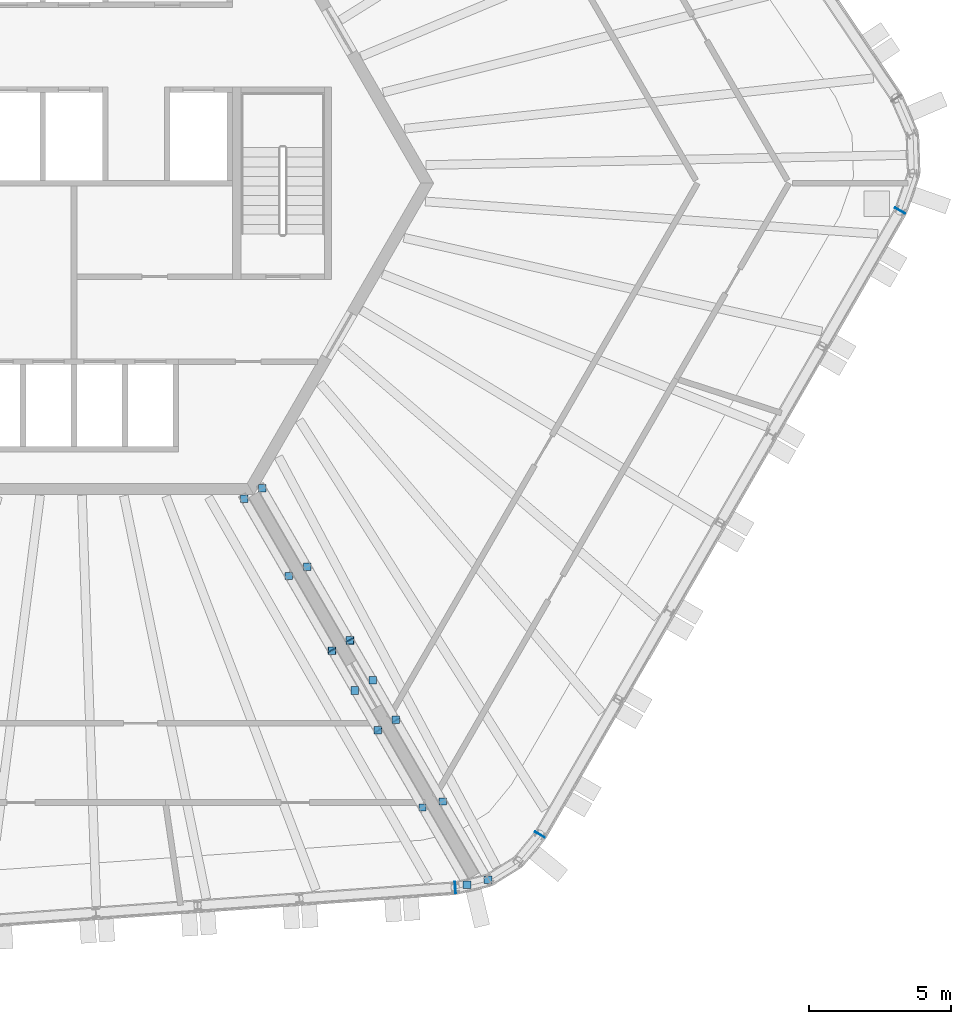
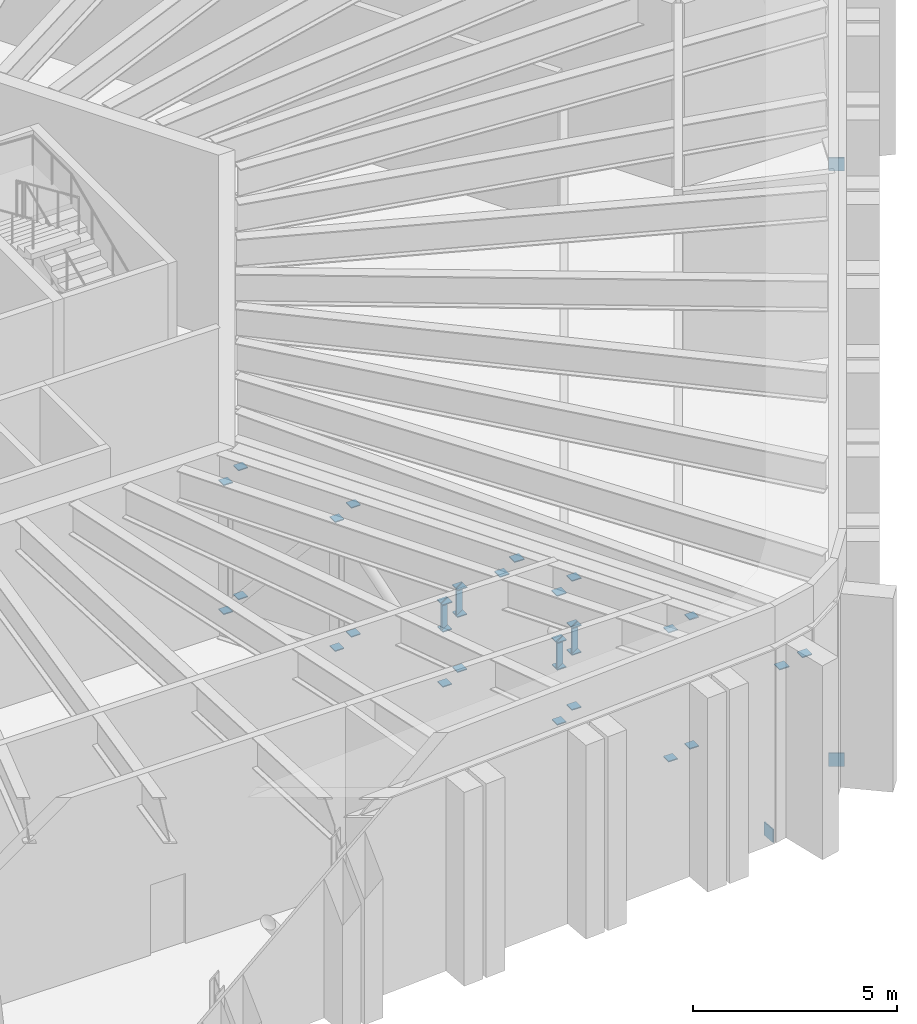
# One storey, part 14 of 19: 37 discrete accessories.
"""IFC4 building model written with IfcOpenShell, lengths in metres."""

from ifc_helpers import new_model, si_unit, direction, frame, origin, origin_2d, place, context, subcontext, project, spatial, rectangle, extrude, material, type_object, element, save


model = new_model("IFC4")

# Units and contexts
model_context = context("Model", 3, precision=1e-05, world=origin(), true_north=direction((0.0, 1.0)))
body_context = subcontext(model_context, "Body", "Model", "MODEL_VIEW")
ifc_project = project(units=[si_unit("LENGTHUNIT", "METRE"), si_unit("AREAUNIT", "SQUARE_METRE"), si_unit("VOLUMEUNIT", "CUBIC_METRE"), si_unit("PLANEANGLEUNIT", "RADIAN"), si_unit("MASSUNIT", "GRAM", prefix="KILO")], contexts=[model_context])

# Site, building, storey
site_placement = place(None, origin())
site = spatial("IfcSite", under=ifc_project, at=site_placement, CompositionType="ELEMENT")
building_placement = place(site_placement, origin())
building = spatial("IfcBuilding", under=site, at=building_placement, Name="Tarnside Tower", CompositionType="ELEMENT")
storey_placement = place(building_placement, frame((0.0, 0.0, 343.5)))
storey = spatial("IfcBuildingStorey", under=building, at=storey_placement, Name="L83", CompositionType="ELEMENT", Elevation=343.5)

# Discrete accessories
ifc_material = material(Name="Steel S355", Category="steel")
discrete_accessory_type_1 = type_object("IfcDiscreteAccessoryType", Name="Cast-in plate L83 belt truss chord end", PredefinedType="USERDEFINED", material=ifc_material)
for number, where, z_axis, x_axis, name in (
    (1, (13.46533203125, -24.871337890625, -0.300048828125), (0.0, 0.0, 1.0), (0.99756405026, 0.069756473744, 0.0), "Cast-in plate run L83 B"),
    (2, (16.451416015625, -23.00537109375, -0.300048828125), (0.0, 0.0, 1.0), (0.5, 0.866025403784, 0.0), "Cast-in plate run L83 A"),
    (3, (29.173583984375, -0.969482421875, -0.300048828125), (0.0, 0.0, 1.0), (0.5, 0.866025403784, 0.0), "Cast-in plate run L83 B"),
):
    element("IfcDiscreteAccessory", number, at=place(storey_placement, frame(where, z_axis=z_axis, x_axis=x_axis)), inside=storey, type_object=discrete_accessory_type_1, Name=name, ObjectType="Cast-in plate", PredefinedType="USERDEFINED", context=body_context, shape_type="SweptSolid", body=[
        extrude(rectangle(XDim=0.030029296875, YDim=0.39892578125, at=origin_2d()), origin(), (0.0, 0.0, 1.0), 0.3935546875),
    ])
discrete_accessory_type_2 = type_object("IfcDiscreteAccessoryType", Name="Gusset plate L83 outrigger end 261", PredefinedType="USERDEFINED", material=ifc_material)
for number, where, z_axis, x_axis, name in (
    (4, (6.64501953125, -10.77783203125, 0.8046875), (0.0, 0.0, 1.0), (1.0, 0.0, 0.0), "Gusset plate 71 L83"),
    (5, (6.64501953125, -10.77783203125, 4.6650390625), (0.0, 0.0, 1.0), (1.0, 0.0, 0.0), "Gusset plate 72 L83"),
    (6, (8.24072265625, -13.54150390625, 0.8046875), (0.0, 0.0, 1.0), (1.0, 0.0, 0.0), "Gusset plate 73 L83"),
    (7, (8.24072265625, -13.54150390625, 4.6650390625), (0.0, 0.0, 1.0), (1.0, 0.0, 0.0), "Gusset plate 74 L83"),
    (8, (9.74462890625, -16.146484375, 0.8046875), (0.0, 0.0, 1.0), (1.0, 0.0, 0.0), "Gusset plate 75 L83"),
    (9, (9.74462890625, -16.146484375, 2.4501953125), (0.0, 0.0, 1.0), (1.0, 0.0, 0.0), "Gusset plate 76 L83"),
    (10, (11.363037109375, -18.949462890625, 0.8046875), (0.0, 0.0, 1.0), (1.0, 0.0, 0.0), "Gusset plate 77 L83"),
    (11, (11.363037109375, -18.949462890625, 2.4501953125), (0.0, 0.0, 1.0), (1.0, 0.0, 0.0), "Gusset plate 78 L83"),
    (12, (13.027587890625, -21.8330078125, 0.8046875), (0.0, 0.0, 1.0), (1.0, 0.0, 0.0), "Gusset plate 79 L83"),
    (13, (13.027587890625, -21.8330078125, 4.6650390625), (0.0, 0.0, 1.0), (1.0, 0.0, 0.0), "Gusset plate 80 L83"),
    (14, (6.01123046875, -11.1435546875, 0.8046875), (0.0, 0.0, 1.0), (1.0, 0.0, 0.0), "Gusset plate 88 L83"),
    (15, (6.01123046875, -11.1435546875, 4.6650390625), (0.0, 0.0, 1.0), (1.0, 0.0, 0.0), "Gusset plate 89 L83"),
    (16, (7.585205078125, -13.869384765625, 0.8046875), (0.0, 0.0, 1.0), (1.0, 0.0, 0.0), "Gusset plate 90 L83"),
    (17, (7.585205078125, -13.869384765625, 4.6650390625), (0.0, 0.0, 1.0), (1.0, 0.0, 0.0), "Gusset plate 91 L83"),
    (18, (9.111083984375, -16.512451171875, 0.8046875), (0.0, 0.0, 1.0), (1.0, 0.0, 0.0), "Gusset plate 92 L83"),
    (19, (9.111083984375, -16.512451171875, 2.4501953125), (0.0, 0.0, 1.0), (1.0, 0.0, 0.0), "Gusset plate 93 L83"),
    (20, (10.729248046875, -19.3154296875, 0.8046875), (0.0, 0.0, 1.0), (1.0, 0.0, 0.0), "Gusset plate 94 L83"),
    (21, (10.729248046875, -19.3154296875, 2.4501953125), (0.0, 0.0, 1.0), (1.0, 0.0, 0.0), "Gusset plate 95 L83"),
    (22, (12.306396484375, -22.047119140625, 0.8046875), (0.0, 0.0, 1.0), (1.0, 0.0, 0.0), "Gusset plate 96 L83"),
    (23, (12.306396484375, -22.047119140625, 4.6650390625), (0.0, 0.0, 1.0), (1.0, 0.0, 0.0), "Gusset plate 97 L83"),
):
    element("IfcDiscreteAccessory", number, at=place(storey_placement, frame(where, z_axis=z_axis, x_axis=x_axis)), inside=storey, type_object=discrete_accessory_type_2, Name=name, ObjectType="Gusset plate", PredefinedType="USERDEFINED", context=body_context, shape_type="SweptSolid", body=[
        extrude(rectangle(XDim=0.26123046875, YDim=0.26123046875, at=origin_2d()), origin(), (0.0, 0.0, 1.0), 0.030029296875),
    ])
discrete_accessory_type_3 = type_object("IfcDiscreteAccessoryType", Name="Gusset plate L83 outrigger end 273", PredefinedType="USERDEFINED", material=ifc_material)
for number, where, z_axis, x_axis, name in (
    (24, (9.74462890625, -16.146484375, 3.2548828125), (0.0, 0.0, 1.0), (1.0, 0.0, 0.0), "Gusset plate 81 L83"),
    (25, (10.5537109375, -17.548095703125, 4.6650390625), (0.0, 0.0, 1.0), (1.0, 0.0, 0.0), "Gusset plate 82 L83"),
    (26, (11.363037109375, -18.949462890625, 3.2548828125), (0.0, 0.0, 1.0), (1.0, 0.0, 0.0), "Gusset plate 83 L83"),
    (27, (11.363037109375, -18.949462890625, 4.6650390625), (0.0, 0.0, 1.0), (1.0, 0.0, 0.0), "Gusset plate 84 L83"),
    (28, (14.623291015625, -24.5966796875, 4.6650390625), (0.0, 0.0, 1.0), (1.0, 0.0, 0.0), "Gusset plate 85 L83"),
    (29, (9.111083984375, -16.512451171875, 3.2548828125), (0.0, 0.0, 1.0), (1.0, 0.0, 0.0), "Gusset plate 98 L83"),
    (30, (9.920166015625, -17.913818359375, 4.6650390625), (0.0, 0.0, 1.0), (1.0, 0.0, 0.0), "Gusset plate 99 L83"),
    (31, (10.729248046875, -19.3154296875, 3.2548828125), (0.0, 0.0, 1.0), (1.0, 0.0, 0.0), "Gusset plate 100 L83"),
    (32, (10.729248046875, -19.3154296875, 4.6650390625), (0.0, 0.0, 1.0), (1.0, 0.0, 0.0), "Gusset plate 101 L83"),
    (33, (13.880126953125, -24.77294921875, 4.6650390625), (0.0, 0.0, 1.0), (1.0, 0.0, 0.0), "Gusset plate 102 L83"),
):
    element("IfcDiscreteAccessory", number, at=place(storey_placement, frame(where, z_axis=z_axis, x_axis=x_axis)), inside=storey, type_object=discrete_accessory_type_3, Name=name, ObjectType="Gusset plate", PredefinedType="USERDEFINED", context=body_context, shape_type="SweptSolid", body=[
        extrude(rectangle(XDim=0.27294921875, YDim=0.27294921875, at=origin_2d()), origin(), (0.0, 0.0, 1.0), 0.030029296875),
    ])
discrete_accessory_type_4 = type_object("IfcDiscreteAccessoryType", Name="Gusset plate L83 outrigger end 292", PredefinedType="USERDEFINED", material=ifc_material)
for number, where, z_axis, x_axis, name in (
    (34, (9.737060546875, -16.133544921875, 2.449951171875), (0.0, 0.0, 1.0), (-0.500019649364, 0.866014058921, 0.0), "Gusset plate 69 L83"),
    (35, (11.37060546875, -18.96240234375, 2.449951171875), (0.0, 0.0, 1.0), (0.500019649364, -0.866014058921, 0.0), "Gusset plate 70 L83"),
    (36, (9.103515625, -16.49951171875, 2.449951171875), (0.0, 0.0, 1.0), (-0.499996976998, 0.866027149108, 0.0), "Gusset plate 86 L83"),
    (37, (10.73681640625, -19.328369140625, 2.449951171875), (0.0, 0.0, 1.0), (0.499996976998, -0.866027149108, 0.0), "Gusset plate 87 L83"),
):
    element("IfcDiscreteAccessory", number, at=place(storey_placement, frame(where, z_axis=z_axis, x_axis=x_axis)), inside=storey, type_object=discrete_accessory_type_4, Name=name, ObjectType="Gusset plate", PredefinedType="USERDEFINED", context=body_context, shape_type="SweptSolid", body=[
        extrude(rectangle(XDim=0.030029296875, YDim=0.291748046875, at=origin_2d()), origin(), (0.0, 0.0, 1.0), 0.8349609375),
    ])

save(model, "model.ifc")
